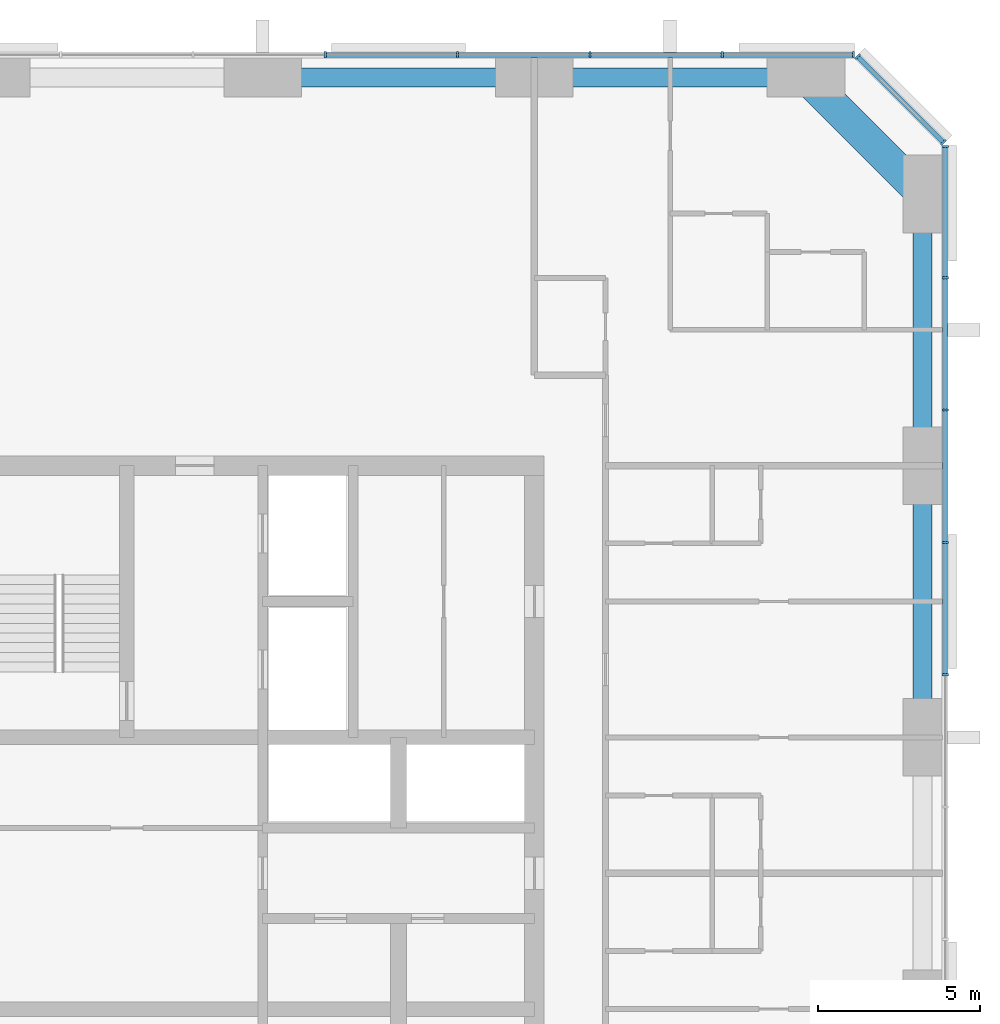
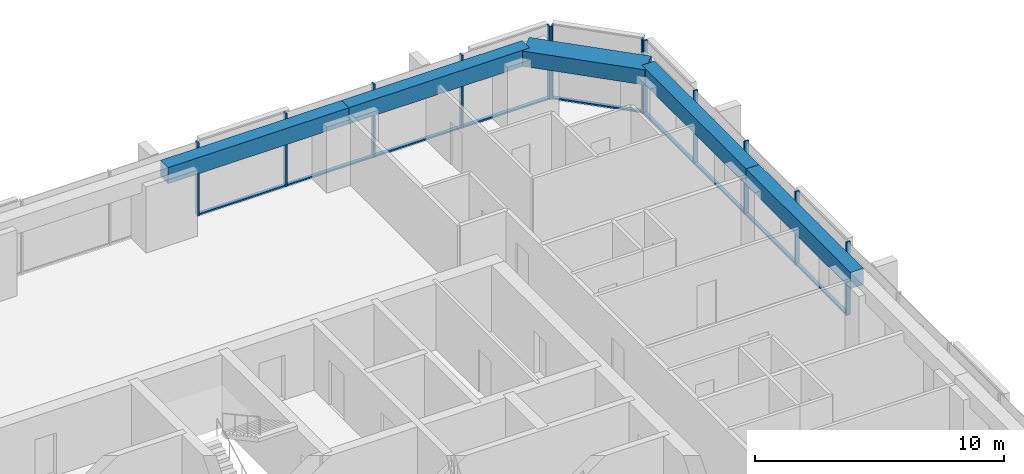
# One storey, part 6 of 14: 21 members, 5 beams, 3 elements without a shape of their own.
"""IFC4 building model written with IfcOpenShell, lengths in metres."""

from ifc_helpers import new_model, si_unit, direction, frame, origin, origin_2d, place, context, subcontext, project, spatial, rectangle, extrude, material, material_profile, profile_set, type_object, element, aggregate, save


model = new_model("IFC4")

# Units and contexts
model_context = context("Model", 3, precision=1e-05, world=origin(), true_north=direction((0.0, 1.0)))
body_context = subcontext(model_context, "Body", "Model", "MODEL_VIEW")
ifc_project = project(units=[si_unit("LENGTHUNIT", "METRE"), si_unit("AREAUNIT", "SQUARE_METRE"), si_unit("VOLUMEUNIT", "CUBIC_METRE"), si_unit("PLANEANGLEUNIT", "RADIAN"), si_unit("MASSUNIT", "GRAM", prefix="KILO")], contexts=[model_context])

# Site, building, storey
site_placement = place(None, origin())
site = spatial("IfcSite", under=ifc_project, at=site_placement, CompositionType="ELEMENT")
building_placement = place(site_placement, origin())
building = spatial("IfcBuilding", under=site, at=building_placement, Name="Dunama Terrace Hotel", CompositionType="ELEMENT")
storey_placement = place(building_placement, frame((0.0, 0.0, 198.60009765625)))
storey = spatial("IfcBuildingStorey", under=building, at=storey_placement, Name="L51", CompositionType="ELEMENT", Elevation=198.60009765625)

# Curtain wall, members
ifc_material_1 = material(Name="Aluminium curtain wall system", Category="aluminium")
curtain_wall_type = type_object("IfcCurtainWallType", Name="Unitised fritted glass wall CW-C", PredefinedType="NOTDEFINED", material=ifc_material_1)
curtain_wall_1_placement = place(storey_placement, origin())
curtain_wall_1 = element("IfcCurtainWall", 1, at=curtain_wall_1_placement, inside=storey, type_object=curtain_wall_type, Name="Unitised fritted glass wall CW-C L51", PredefinedType="NOTDEFINED")
ifc_material_2 = material(Name="Aluminium mullion", Category="aluminium")
ifc_material_profile_1 = material_profile(ifc_material_2, rectangle(XDim=0.070068359375, YDim=0.199951171875, at=origin_2d()), Name="CWC MULLION 70X200")
ifc_profile_set_1 = profile_set([ifc_material_profile_1], Name="Aluminium mullion")
member_type_1 = type_object("IfcMemberType", Name="CWC mullion 70x200", PredefinedType="MULLION", material=ifc_profile_set_1)
member_1_placement = place(storey_placement, frame((54.699951171875, 35.535888671875, 0.0), z_axis=(0.0, 0.0, 1.0), x_axis=(0.0, 1.0, 0.0)))
member_1 = element("IfcMember", 2, at=member_1_placement, type_object=member_type_1, Name="CWC mullion", PredefinedType="MULLION", context=body_context, shape_type="SweptSolid", body=[
    extrude(rectangle(XDim=0.070068359375, YDim=0.199951171875, at=origin_2d()), origin(), (0.0, 0.0, 1.0), 3.599853515625),
])
member_2_placement = place(storey_placement, frame((54.699951171875, 39.626953125, 0.0), z_axis=(0.0, 0.0, 1.0), x_axis=(0.0, 1.0, 0.0)))
member_2 = element("IfcMember", 3, at=member_2_placement, type_object=member_type_1, Name="CWC mullion", PredefinedType="MULLION", context=body_context, shape_type="SweptSolid", body=[
    extrude(rectangle(XDim=0.070068359375, YDim=0.199951171875, at=origin_2d()), origin(), (0.0, 0.0, 1.0), 3.599853515625),
])
member_3_placement = place(storey_placement, frame((54.699951171875, 43.718017578125, 0.0), z_axis=(0.0, 0.0, 1.0), x_axis=(0.0, 1.0, 0.0)))
member_3 = element("IfcMember", 4, at=member_3_placement, type_object=member_type_1, Name="CWC mullion", PredefinedType="MULLION", context=body_context, shape_type="SweptSolid", body=[
    extrude(rectangle(XDim=0.070068359375, YDim=0.199951171875, at=origin_2d()), origin(), (0.0, 0.0, 1.0), 3.599853515625),
])
member_4_placement = place(storey_placement, frame((54.699951171875, 47.80908203125, 0.0), z_axis=(0.0, 0.0, 1.0), x_axis=(0.0, 1.0, 0.0)))
member_4 = element("IfcMember", 5, at=member_4_placement, type_object=member_type_1, Name="CWC mullion", PredefinedType="MULLION", context=body_context, shape_type="SweptSolid", body=[
    extrude(rectangle(XDim=0.070068359375, YDim=0.199951171875, at=origin_2d()), origin(), (0.0, 0.0, 1.0), 3.599853515625),
])
member_5_placement = place(storey_placement, frame((54.699951171875, 51.864990234375, 0.0), z_axis=(0.0, 0.0, 1.0), x_axis=(0.0, 1.0, 0.0)))
member_5 = element("IfcMember", 6, at=member_5_placement, type_object=member_type_1, Name="CWC mullion", PredefinedType="MULLION", context=body_context, shape_type="SweptSolid", body=[
    extrude(rectangle(XDim=0.070068359375, YDim=0.199951171875, at=origin_2d()), origin(), (0.0, 0.0, 1.0), 3.599853515625),
])

curtain_wall_2_placement = place(storey_placement, origin())
curtain_wall_2 = element("IfcCurtainWall", 7, at=curtain_wall_2_placement, inside=storey, type_object=curtain_wall_type, Name="Unitised fritted glass wall CW-C L51", PredefinedType="NOTDEFINED")
member_6_placement = place(storey_placement, frame((54.64599609375, 51.9951171875, 0.0), z_axis=(0.0, 0.0, 1.0), x_axis=(-0.707106781187, 0.707106781187, 0.0)))
member_6 = element("IfcMember", 8, at=member_6_placement, type_object=member_type_1, Name="CWC mullion", PredefinedType="MULLION", context=body_context, shape_type="SweptSolid", body=[
    extrude(rectangle(XDim=0.070068359375, YDim=0.199951171875, at=origin_2d()), origin(), (0.0, 0.0, 1.0), 3.599853515625),
])
member_7_placement = place(storey_placement, frame((51.9951171875, 54.64599609375, 0.0), z_axis=(0.0, 0.0, 1.0), x_axis=(-0.707106781187, 0.707106781187, 0.0)))
member_7 = element("IfcMember", 9, at=member_7_placement, type_object=member_type_1, Name="CWC mullion", PredefinedType="MULLION", context=body_context, shape_type="SweptSolid", body=[
    extrude(rectangle(XDim=0.070068359375, YDim=0.199951171875, at=origin_2d()), origin(), (0.0, 0.0, 1.0), 3.599853515625),
])

curtain_wall_3_placement = place(storey_placement, origin())
curtain_wall_3 = element("IfcCurtainWall", 10, at=curtain_wall_3_placement, inside=storey, type_object=curtain_wall_type, Name="Unitised fritted glass wall CW-C L51", PredefinedType="NOTDEFINED")
member_8_placement = place(storey_placement, frame((51.864990234375, 54.699951171875, 0.0), z_axis=(0.0, 0.0, 1.0), x_axis=(-1.0, 0.0, 0.0)))
member_8 = element("IfcMember", 11, at=member_8_placement, type_object=member_type_1, Name="CWC mullion", PredefinedType="MULLION", context=body_context, shape_type="SweptSolid", body=[
    extrude(rectangle(XDim=0.070068359375, YDim=0.199951171875, at=origin_2d()), origin(), (0.0, 0.0, 1.0), 3.599853515625),
])
member_9_placement = place(storey_placement, frame((47.80908203125, 54.699951171875, 0.0), z_axis=(0.0, 0.0, 1.0), x_axis=(-1.0, 0.0, 0.0)))
member_9 = element("IfcMember", 12, at=member_9_placement, type_object=member_type_1, Name="CWC mullion", PredefinedType="MULLION", context=body_context, shape_type="SweptSolid", body=[
    extrude(rectangle(XDim=0.070068359375, YDim=0.199951171875, at=origin_2d()), origin(), (0.0, 0.0, 1.0), 3.599853515625),
])
member_10_placement = place(storey_placement, frame((43.718017578125, 54.699951171875, 0.0), z_axis=(0.0, 0.0, 1.0), x_axis=(-1.0, 0.0, 0.0)))
member_10 = element("IfcMember", 13, at=member_10_placement, type_object=member_type_1, Name="CWC mullion", PredefinedType="MULLION", context=body_context, shape_type="SweptSolid", body=[
    extrude(rectangle(XDim=0.070068359375, YDim=0.199951171875, at=origin_2d()), origin(), (0.0, 0.0, 1.0), 3.599853515625),
])
member_11_placement = place(storey_placement, frame((39.626953125, 54.699951171875, 0.0), z_axis=(0.0, 0.0, 1.0), x_axis=(-1.0, 0.0, 0.0)))
member_11 = element("IfcMember", 14, at=member_11_placement, type_object=member_type_1, Name="CWC mullion", PredefinedType="MULLION", context=body_context, shape_type="SweptSolid", body=[
    extrude(rectangle(XDim=0.070068359375, YDim=0.199951171875, at=origin_2d()), origin(), (0.0, 0.0, 1.0), 3.599853515625),
])
member_12_placement = place(storey_placement, frame((35.535888671875, 54.699951171875, 0.0), z_axis=(0.0, 0.0, 1.0), x_axis=(-1.0, 0.0, 0.0)))
member_12 = element("IfcMember", 15, at=member_12_placement, type_object=member_type_1, Name="CWC mullion", PredefinedType="MULLION", context=body_context, shape_type="SweptSolid", body=[
    extrude(rectangle(XDim=0.070068359375, YDim=0.199951171875, at=origin_2d()), origin(), (0.0, 0.0, 1.0), 3.599853515625),
])

# Member
ifc_material_3 = material(Name="Aluminium transom", Category="aluminium")
ifc_material_profile_2 = material_profile(ifc_material_3, rectangle(XDim=0.159912109375, YDim=0.080078125, at=origin_2d()), Name="CWC TRANSOM 160X80")
ifc_profile_set_2 = profile_set([ifc_material_profile_2], Name="Aluminium transom")
member_type_2 = type_object("IfcMemberType", Name="CWC transom 160x80", PredefinedType="USERDEFINED", material=ifc_profile_set_2)
member_13_placement = place(storey_placement, frame((54.699951171875, 35.571044921875, 0.039794921875), z_axis=(0.0, 1.0, 0.0), x_axis=(-1.0, 0.0, 0.0)))
member_13 = element("IfcMember", 16, at=member_13_placement, type_object=member_type_2, Name="CWC transom", ObjectType="TRANSOM", PredefinedType="USERDEFINED", context=body_context, shape_type="SweptSolid", body=[
    extrude(rectangle(XDim=0.159912109375, YDim=0.080078125, at=origin_2d()), origin(), (0.0, 0.0, 1.0), 4.02099609375),
])

member_14_placement = place(storey_placement, frame((54.699951171875, 39.662109375, 0.039794921875), z_axis=(0.0, 1.0, 0.0), x_axis=(-1.0, 0.0, 0.0)))
member_14 = element("IfcMember", 17, at=member_14_placement, type_object=member_type_2, Name="CWC transom", ObjectType="TRANSOM", PredefinedType="USERDEFINED", context=body_context, shape_type="SweptSolid", body=[
    extrude(rectangle(XDim=0.159912109375, YDim=0.080078125, at=origin_2d()), origin(), (0.0, 0.0, 1.0), 4.02099609375),
])

member_15_placement = place(storey_placement, frame((54.699951171875, 43.7529296875, 0.039794921875), z_axis=(0.0, 1.0, 0.0), x_axis=(-1.0, 0.0, 0.0)))
member_15 = element("IfcMember", 18, at=member_15_placement, type_object=member_type_2, Name="CWC transom", ObjectType="TRANSOM", PredefinedType="USERDEFINED", context=body_context, shape_type="SweptSolid", body=[
    extrude(rectangle(XDim=0.159912109375, YDim=0.080078125, at=origin_2d()), origin(), (0.0, 0.0, 1.0), 4.02099609375),
])

member_16_placement = place(storey_placement, frame((54.699951171875, 47.843994140625, 0.039794921875), z_axis=(0.0, 1.0, 0.0), x_axis=(-1.0, 0.0, 0.0)))
member_16 = element("IfcMember", 19, at=member_16_placement, type_object=member_type_2, Name="CWC transom", ObjectType="TRANSOM", PredefinedType="USERDEFINED", context=body_context, shape_type="SweptSolid", body=[
    extrude(rectangle(XDim=0.159912109375, YDim=0.080078125, at=origin_2d()), origin(), (0.0, 0.0, 1.0), 3.986083984375),
])

aggregate(curtain_wall_1, [member_1, member_2, member_3, member_4, member_5, member_13, member_14, member_15, member_16])

member_17_placement = place(storey_placement, frame((54.62109375, 52.02001953125, 0.039794921875), z_axis=(-0.707106781187, 0.707106781187, 0.0), x_axis=(-0.707106781187, -0.707106781187, 0.0)))
member_17 = element("IfcMember", 20, at=member_17_placement, type_object=member_type_2, Name="CWC transom", ObjectType="TRANSOM", PredefinedType="USERDEFINED", context=body_context, shape_type="SweptSolid", body=[
    extrude(rectangle(XDim=0.159912109375, YDim=0.080078125, at=origin_2d()), origin(), (0.0, 0.0, 1.0), 3.678466796875),
])

aggregate(curtain_wall_2, [member_6, member_7, member_17])

member_18_placement = place(storey_placement, frame((51.830078125, 54.699951171875, 0.039794921875), z_axis=(-1.0, 0.0, 0.0), x_axis=(0.0, -1.0, 0.0)))
member_18 = element("IfcMember", 21, at=member_18_placement, type_object=member_type_2, Name="CWC transom", ObjectType="TRANSOM", PredefinedType="USERDEFINED", context=body_context, shape_type="SweptSolid", body=[
    extrude(rectangle(XDim=0.159912109375, YDim=0.080078125, at=origin_2d()), origin(), (0.0, 0.0, 1.0), 3.986083984375),
])

member_19_placement = place(storey_placement, frame((47.77392578125, 54.699951171875, 0.039794921875), z_axis=(-1.0, 0.0, 0.0), x_axis=(0.0, -1.0, 0.0)))
member_19 = element("IfcMember", 22, at=member_19_placement, type_object=member_type_2, Name="CWC transom", ObjectType="TRANSOM", PredefinedType="USERDEFINED", context=body_context, shape_type="SweptSolid", body=[
    extrude(rectangle(XDim=0.159912109375, YDim=0.080078125, at=origin_2d()), origin(), (0.0, 0.0, 1.0), 4.02099609375),
])

member_20_placement = place(storey_placement, frame((43.68310546875, 54.699951171875, 0.039794921875), z_axis=(-1.0, 0.0, 0.0), x_axis=(0.0, -1.0, 0.0)))
member_20 = element("IfcMember", 23, at=member_20_placement, type_object=member_type_2, Name="CWC transom", ObjectType="TRANSOM", PredefinedType="USERDEFINED", context=body_context, shape_type="SweptSolid", body=[
    extrude(rectangle(XDim=0.159912109375, YDim=0.080078125, at=origin_2d()), origin(), (0.0, 0.0, 1.0), 4.02099609375),
])

member_21_placement = place(storey_placement, frame((39.592041015625, 54.699951171875, 0.039794921875), z_axis=(-1.0, 0.0, 0.0), x_axis=(0.0, -1.0, 0.0)))
member_21 = element("IfcMember", 24, at=member_21_placement, type_object=member_type_2, Name="CWC transom", ObjectType="TRANSOM", PredefinedType="USERDEFINED", context=body_context, shape_type="SweptSolid", body=[
    extrude(rectangle(XDim=0.159912109375, YDim=0.080078125, at=origin_2d()), origin(), (0.0, 0.0, 1.0), 4.02099609375),
])

aggregate(curtain_wall_3, [member_8, member_9, member_10, member_11, member_12, member_18, member_19, member_20, member_21])

# Beams
ifc_material_4 = material(Name="Concrete C50/60", Category="concrete")
ifc_material_profile_3 = material_profile(ifc_material_4, rectangle(XDim=1.0, YDim=0.75, at=origin_2d()), Name="RC 1000x750")
ifc_profile_set_3 = profile_set([ifc_material_profile_3], Name="Concrete C50/60")
beam_type_1 = type_object("IfcBeamType", Name="Edge beam RC 1000x750", PredefinedType="SPANDREL", material=ifc_profile_set_3)
beam_placement = place(storey_placement, frame((50.39990234375, 54.0, 3.224853515625), z_axis=(0.707106781187, -0.707106781187, 0.0), x_axis=(0.707106781187, 0.707106781187, 0.0)))
element("IfcBeam", 25, at=beam_placement, inside=storey, type_object=beam_type_1, Name="Corner edge beam under L52", PredefinedType="SPANDREL", context=body_context, shape_type="SweptSolid", body=[
    extrude(rectangle(XDim=1.0, YDim=0.75, at=origin_2d()), origin(), (0.0, 0.0, 1.0), 5.09130859375),
])
ifc_material_5 = material(Name="Concrete C40/50", Category="concrete")
ifc_material_profile_4 = material_profile(ifc_material_5, rectangle(XDim=0.60009765625, YDim=0.800048828125, at=origin_2d()), Name="RC 600x800")
ifc_profile_set_4 = profile_set([ifc_material_profile_4], Name="Concrete C40/50")
beam_type_2 = type_object("IfcBeamType", Name="Edge beam RC 600x800", PredefinedType="SPANDREL", material=ifc_profile_set_4)
for number, where, z_axis, x_axis, name in (
    (26, (54.0, 33.60009765625, 3.199951171875), (0.0, 1.0, 0.0), (-1.0, 0.0, 0.0), "Edge beam under L52"),
    (27, (54.0, 42.0, 3.199951171875), (0.0, 1.0, 0.0), (-1.0, 0.0, 0.0), "Edge beam under L52"),
    (28, (33.60009765625, 54.0, 3.199951171875), (1.0, 0.0, 0.0), (0.0, 1.0, 0.0), "Edge beam under L52"),
    (29, (42.0, 54.0, 3.199951171875), (1.0, 0.0, 0.0), (0.0, 1.0, 0.0), "Edge beam under L52"),
):
    element("IfcBeam", number, at=place(storey_placement, frame(where, z_axis=z_axis, x_axis=x_axis)), inside=storey, type_object=beam_type_2, Name=name, PredefinedType="SPANDREL", context=body_context, shape_type="SweptSolid", body=[
        extrude(rectangle(XDim=0.60009765625, YDim=0.800048828125, at=origin_2d()), origin(), (0.0, 0.0, 1.0), 8.39990234375),
    ])

save(model, "model.ifc")
